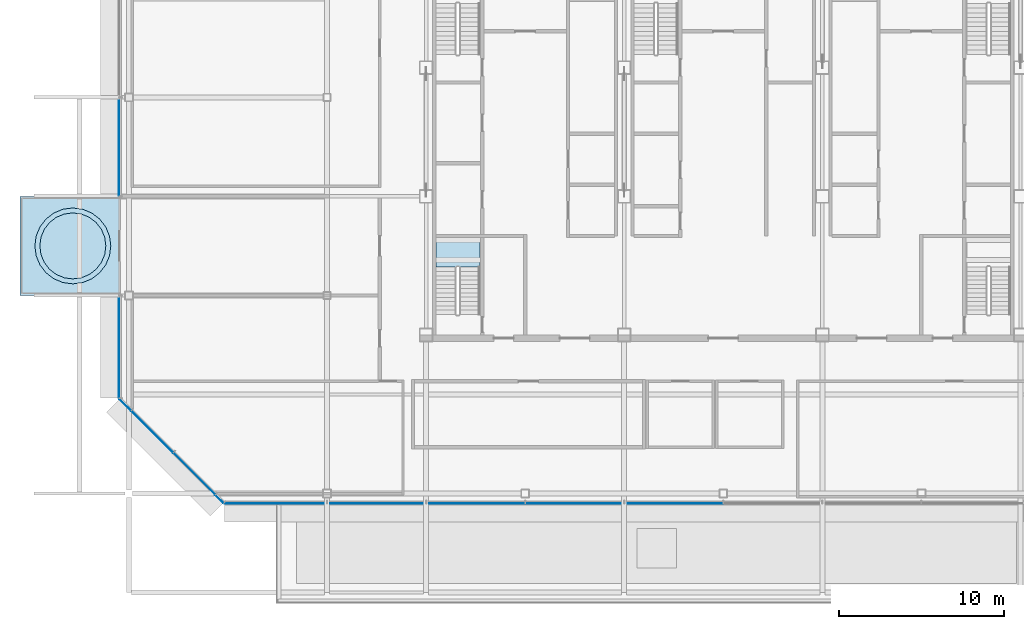
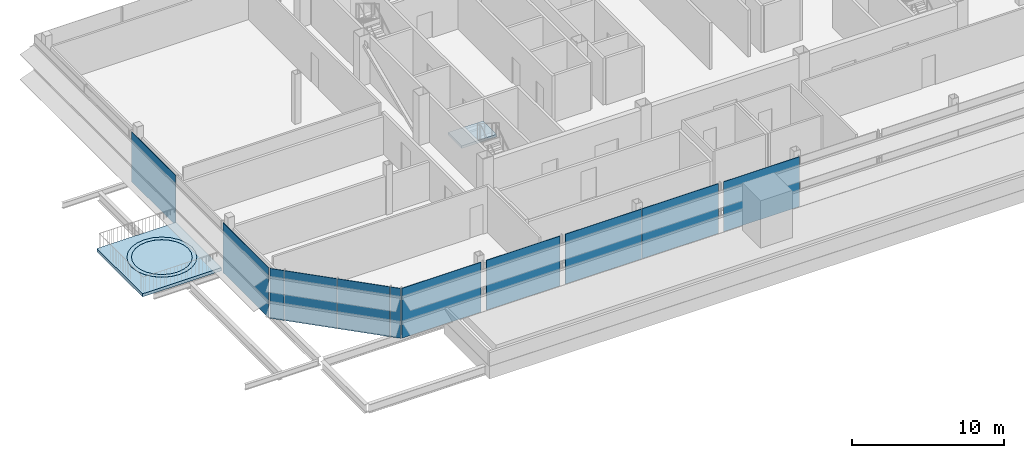
# One storey, part 15 of 26: 12 plates, 2 slabs, 4 elements without a shape of their own.
"""IFC4 building model written with IfcOpenShell, lengths in metres."""

from ifc_helpers import new_model, si_unit, direction, frame, origin, origin_2d, place, context, subcontext, project, spatial, polyline, rectangle, outline, extrude, material, layer, layer_set, type_object, element, aggregate, save


model = new_model("IFC4")

# Units and contexts
model_context = context("Model", 3, precision=1e-05, world=origin(), true_north=direction((0.0, 1.0)))
body_context = subcontext(model_context, "Body", "Model", "MODEL_VIEW")
ifc_project = project(units=[si_unit("LENGTHUNIT", "METRE"), si_unit("AREAUNIT", "SQUARE_METRE"), si_unit("VOLUMEUNIT", "CUBIC_METRE"), si_unit("PLANEANGLEUNIT", "RADIAN"), si_unit("MASSUNIT", "GRAM", prefix="KILO")], contexts=[model_context])

# Site, building, storey
site_placement = place(None, origin())
site = spatial("IfcSite", under=ifc_project, at=site_placement, CompositionType="ELEMENT")
building_placement = place(site_placement, origin())
building = spatial("IfcBuilding", under=site, at=building_placement, Name="Sorahane Residences", CompositionType="ELEMENT")
storey_placement = place(building_placement, frame((0.0, 0.0, 337.800048828125)))
storey = spatial("IfcBuildingStorey", under=building, at=storey_placement, Name="L80", CompositionType="ELEMENT", Elevation=337.800048828125)

# Curtain wall, plates
ifc_material_1 = material(Name="Dark low-e glass and black anodised aluminium", Category="aluminium")
curtain_wall_type = type_object("IfcCurtainWallType", Name="Curtain wall CW-6 Crown unitised wall", PredefinedType="NOTDEFINED", material=ifc_material_1)
curtain_wall_1_placement = place(storey_placement, origin())
curtain_wall_1 = element("IfcCurtainWall", 1, at=curtain_wall_1_placement, inside=storey, type_object=curtain_wall_type, Name="CW-6 curtain wall L80 S1", PredefinedType="NOTDEFINED")
ifc_material_2 = material(Name="Dark low-e glass with black ceramic frit", Category="glass")
ifc_layer_1 = layer(ifc_material_2, 0.0400390625)
ifc_layer_set_1 = layer_set([ifc_layer_1], Name="Curtain wall glass panel dark low-e crown with black frit spandrel band")
plate_type_1 = type_object("IfcPlateType", Name="Curtain wall glass panel dark low-e crown with black frit spandrel band", PredefinedType="CURTAIN_PANEL", material=ifc_layer_set_1)
plate_1_placement = place(storey_placement, frame((-3.19921875, 11.39990234375, -0.25), z_axis=(0.0, 0.0, 1.0), x_axis=(1.0, 0.0, 0.0)))
plate_1 = element("IfcPlate", 2, at=plate_1_placement, type_object=plate_type_1, Name="CW-6 glass panel L80 S1.1", PredefinedType="CURTAIN_PANEL", context=body_context, shape_type="SweptSolid", body=[
    extrude(rectangle(XDim=5.99853515625, YDim=0.0400390625, at=origin_2d()), origin(), (0.0, 0.0, 1.0), 4.0),
])
plate_2_placement = place(storey_placement, frame((3.0, 11.39990234375, -0.25), z_axis=(0.0, 0.0, 1.0), x_axis=(1.0, 0.0, 0.0)))
plate_2 = element("IfcPlate", 3, at=plate_2_placement, type_object=plate_type_1, Name="CW-6 glass panel L80 S1.2", PredefinedType="CURTAIN_PANEL", context=body_context, shape_type="SweptSolid", body=[
    extrude(rectangle(XDim=5.60009765625, YDim=0.0400390625, at=origin_2d()), origin(), (0.0, 0.0, 1.0), 4.0),
])
plate_3_placement = place(storey_placement, frame((9.08740234375, 11.39990234375, -0.25), z_axis=(0.0, 0.0, 1.0), x_axis=(1.0, 0.0, 0.0)))
plate_3 = element("IfcPlate", 4, at=plate_3_placement, type_object=plate_type_1, Name="CW-6 glass panel L80 S1.3", PredefinedType="CURTAIN_PANEL", context=body_context, shape_type="SweptSolid", body=[
    extrude(rectangle(XDim=5.77490234375, YDim=0.0400390625, at=origin_2d()), origin(), (0.0, 0.0, 1.0), 4.0),
])
plate_4_placement = place(storey_placement, frame((14.91259765625, 11.39990234375, -0.25), z_axis=(0.0, 0.0, 1.0), x_axis=(1.0, 0.0, 0.0)))
plate_4 = element("IfcPlate", 5, at=plate_4_placement, type_object=plate_type_1, Name="CW-6 glass panel L80 S1.4", PredefinedType="CURTAIN_PANEL", context=body_context, shape_type="SweptSolid", body=[
    extrude(rectangle(XDim=5.77490234375, YDim=0.0400390625, at=origin_2d()), origin(), (0.0, 0.0, 1.0), 4.0),
])
plate_5_placement = place(storey_placement, frame((21.08740234375, 11.39990234375, -0.25), z_axis=(0.0, 0.0, 1.0), x_axis=(1.0, 0.0, 0.0)))
plate_5 = element("IfcPlate", 6, at=plate_5_placement, type_object=plate_type_1, Name="CW-6 glass panel L80 S1.5", PredefinedType="CURTAIN_PANEL", context=body_context, shape_type="SweptSolid", body=[
    extrude(rectangle(XDim=5.77490234375, YDim=0.0400390625, at=origin_2d()), origin(), (0.0, 0.0, 1.0), 4.0),
])
aggregate(curtain_wall_1, [plate_1, plate_2, plate_3, plate_4, plate_5])

curtain_wall_2_placement = place(storey_placement, origin())
curtain_wall_2 = element("IfcCurtainWall", 7, at=curtain_wall_2_placement, inside=storey, type_object=curtain_wall_type, Name="CW-6 curtain wall L80 W1", PredefinedType="NOTDEFINED")
plate_6_placement = place(storey_placement, frame((-12.60009765625, 32.91259765625, -0.25), z_axis=(0.0, 0.0, 1.0), x_axis=(0.0, -1.0, 0.0)))
plate_6 = element("IfcPlate", 8, at=plate_6_placement, type_object=plate_type_1, Name="CW-6 glass panel L80 W1.3", PredefinedType="CURTAIN_PANEL", context=body_context, shape_type="SweptSolid", body=[
    extrude(rectangle(XDim=5.77490234375, YDim=0.0400390625, at=origin_2d()), origin(), (0.0, 0.0, 1.0), 4.0),
])
plate_7_placement = place(storey_placement, frame((-12.60009765625, 20.80078125, -0.25), z_axis=(0.0, 0.0, 1.0), x_axis=(0.0, -1.0, 0.0)))
plate_7 = element("IfcPlate", 9, at=plate_7_placement, type_object=plate_type_1, Name="CW-6 glass panel L80 W1.5", PredefinedType="CURTAIN_PANEL", context=body_context, shape_type="SweptSolid", body=[
    extrude(rectangle(XDim=5.99853515625, YDim=0.0400390625, at=origin_2d()), origin(), (0.0, 0.0, 1.0), 4.0),
])
aggregate(curtain_wall_2, [plate_6, plate_7])

curtain_wall_3_placement = place(storey_placement, origin())
curtain_wall_3 = element("IfcCurtainWall", 10, at=curtain_wall_3_placement, inside=storey, type_object=curtain_wall_type, Name="CW-6 curtain wall L80 SW1", PredefinedType="NOTDEFINED")
plate_8_placement = place(storey_placement, frame((-12.2265625, 17.3779296875, -0.25), z_axis=(0.0, 0.0, 1.0), x_axis=(0.707106781187, -0.707106781187, 0.0)))
plate_8 = element("IfcPlate", 11, at=plate_8_placement, type_object=plate_type_1, Name="CW-6 glass panel L80 SW1.1", PredefinedType="CURTAIN_PANEL", context=body_context, shape_type="SweptSolid", body=[
    extrude(rectangle(XDim=0.956298828125, YDim=0.0400390625, at=origin_2d()), origin(), (0.0, 0.0, 1.0), 4.0),
])
plate_9_placement = place(storey_placement, frame((-10.597412109375, 15.7490234375, -0.25), z_axis=(0.0, 0.0, 1.0), x_axis=(0.707106781187, -0.707106781187, 0.0)))
plate_9 = element("IfcPlate", 12, at=plate_9_placement, type_object=plate_type_1, Name="CW-6 glass panel L80 SW1.2", PredefinedType="CURTAIN_PANEL", context=body_context, shape_type="SweptSolid", body=[
    extrude(rectangle(XDim=3.55126953125, YDim=0.0400390625, at=origin_2d()), origin(), (0.0, 0.0, 1.0), 4.0),
])
plate_10_placement = place(storey_placement, frame((-8.051025390625, 13.202392578125, -0.25), z_axis=(0.0, 0.0, 1.0), x_axis=(0.707106781187, -0.707106781187, 0.0)))
plate_10 = element("IfcPlate", 13, at=plate_10_placement, type_object=plate_type_1, Name="CW-6 glass panel L80 SW1.3", PredefinedType="CURTAIN_PANEL", context=body_context, shape_type="SweptSolid", body=[
    extrude(rectangle(XDim=3.55126953125, YDim=0.0400390625, at=origin_2d()), origin(), (0.0, 0.0, 1.0), 4.0),
])
plate_11_placement = place(storey_placement, frame((-6.52197265625, 11.67333984375, -0.25), z_axis=(0.0, 0.0, 1.0), x_axis=(0.707106781187, -0.707106781187, 0.0)))
plate_11 = element("IfcPlate", 14, at=plate_11_placement, type_object=plate_type_1, Name="CW-6 glass panel L80 SW1.4", PredefinedType="CURTAIN_PANEL", context=body_context, shape_type="SweptSolid", body=[
    extrude(rectangle(XDim=0.67333984375, YDim=0.0400390625, at=origin_2d()), origin(), (0.0, 0.0, 1.0), 4.0),
])
aggregate(curtain_wall_3, [plate_8, plate_9, plate_10, plate_11])

# Plate
ifc_material_3 = material(Name="Painted steel plate", Category="steel")
ifc_layer_2 = layer(ifc_material_3, 0.0048828125)
ifc_layer_set_2 = layer_set([ifc_layer_2], Name="Rescue marking ring painted plate")
plate_type_2 = type_object("IfcPlateType", Name="Rescue marking ring painted plate", PredefinedType="SHEET", material=ifc_layer_set_2)
plate_12_placement = place(storey_placement, origin())
element("IfcPlate", 15, at=plate_12_placement, inside=storey, type_object=plate_type_2, Name="Rescue marking ring", PredefinedType="SHEET", context=body_context, shape_type="SweptSolid", body=[
    extrude(outline(polyline([(-13.10009765625, 27.0), (-13.178466796875, 27.59521484375), (-13.408203125, 28.14990234375), (-13.773681640625, 28.626220703125), (-14.25, 28.991943359375), (-14.8046875, 29.2216796875), (-15.39990234375, 29.300048828125), (-15.995361328125, 29.2216796875), (-16.550048828125, 28.991943359375), (-17.0263671875, 28.626220703125), (-17.391845703125, 28.14990234375), (-17.62158203125, 27.59521484375), (-17.699951171875, 27.0), (-17.62158203125, 26.40478515625), (-17.391845703125, 25.85009765625), (-17.0263671875, 25.373779296875), (-16.550048828125, 25.008056640625), (-15.995361328125, 24.7783203125), (-15.39990234375, 24.699951171875), (-14.8046875, 24.7783203125), (-14.25, 25.008056640625), (-13.773681640625, 25.373779296875), (-13.408203125, 25.85009765625), (-13.178466796875, 26.40478515625), (-13.10009765625, 27.0)]), holes=[polyline([(-13.39990234375, 27.0), (-13.468017578125, 27.517578125), (-13.66796875, 28.0), (-13.98583984375, 28.414306640625), (-14.39990234375, 28.732177734375), (-14.88232421875, 28.931884765625), (-15.39990234375, 29.0), (-15.91748046875, 28.931884765625), (-16.39990234375, 28.732177734375), (-16.814208984375, 28.414306640625), (-17.132080078125, 28.0), (-17.331787109375, 27.517578125), (-17.39990234375, 27.0), (-17.331787109375, 26.482421875), (-17.132080078125, 26.0), (-16.814208984375, 25.585693359375), (-16.39990234375, 25.267822265625), (-15.91748046875, 25.068115234375), (-15.39990234375, 25.0), (-14.88232421875, 25.068115234375), (-14.39990234375, 25.267822265625), (-13.98583984375, 25.585693359375), (-13.66796875, 26.0), (-13.468017578125, 26.482421875), (-13.39990234375, 27.0)])]), origin(), (0.0, 0.0, 1.0), 0.0048828125),
])

# Stair, slab
ifc_material_4 = material(Name="Concrete C40", Category="concrete")
stair_type = type_object("IfcStairType", Name="Dog-leg stair 1250 Concrete C40", PredefinedType="HALF_TURN_STAIR", material=ifc_material_4)
stair_placement = place(storey_placement, origin())
stair = element("IfcStair", 16, at=stair_placement, inside=storey, type_object=stair_type, Name="L80 Stair S4", PredefinedType="HALF_TURN_STAIR")
ifc_material_5 = material(Name="Concrete C40", Category="concrete")
ifc_layer_3 = layer(ifc_material_5, 0.199951171875)
ifc_layer_set_3 = layer_set([ifc_layer_3], Name="Stair landing 200 Concrete C40")
slab_type_1 = type_object("IfcSlabType", Name="Stair landing 200 Concrete C40", PredefinedType="LANDING", material=ifc_layer_set_3)
slab_1_placement = place(storey_placement, frame((0.0, 0.0, 1.800048828125)))
slab_1 = element("IfcSlab", 17, at=slab_1_placement, type_object=slab_type_1, Name="S4 landing 1", PredefinedType="LANDING", context=body_context, shape_type="SweptSolid", body=[
    extrude(outline(polyline([(9.25, 25.7099609375), (9.25, 27.5), (6.60009765625, 27.5), (6.60009765625, 25.7099609375), (9.25, 25.7099609375)])), origin(), (0.0, 0.0, 1.0), 0.199951171875),
])
aggregate(stair, [slab_1])

# Slab
ifc_material_6 = material(Name="Steel Q355B", Category="steel")
ifc_layer_4 = layer(ifc_material_6, 0.25)
ifc_layer_set_4 = layer_set([ifc_layer_4], Name="Steel Q355 grade B grating rescue platform deck 250")
slab_type_2 = type_object("IfcSlabType", Name="Steel Q355 grade B grating rescue platform deck 250", PredefinedType="FLOOR", material=ifc_layer_set_4)
slab_2_placement = place(storey_placement, frame((0.0, 0.0, -0.25)))
element("IfcSlab", 18, at=slab_2_placement, inside=storey, type_object=slab_type_2, Name="Helicopter rescue platform deck", PredefinedType="FLOOR", context=body_context, shape_type="SweptSolid", body=[
    extrude(outline(polyline([(-18.60009765625, 24.0), (-12.60009765625, 24.0), (-12.60009765625, 30.0), (-18.60009765625, 30.0), (-18.60009765625, 24.0)])), origin(), (0.0, 0.0, 1.0), 0.25),
])

save(model, "model.ifc")
